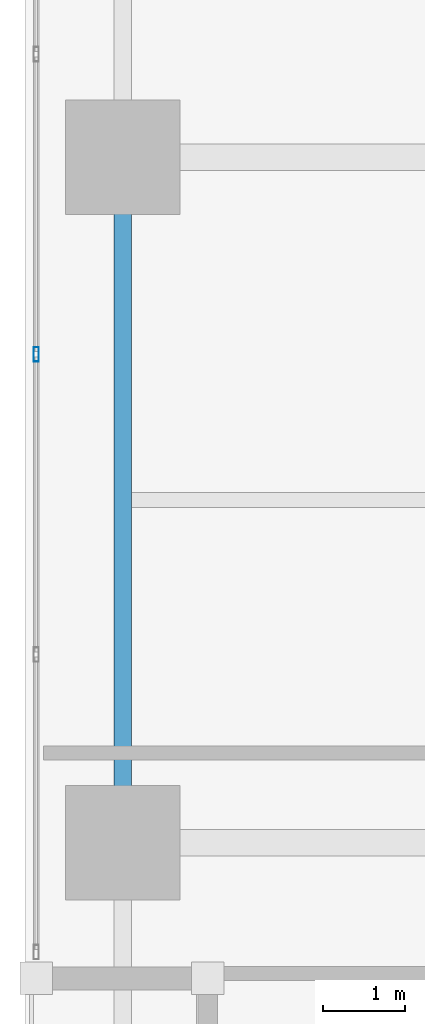
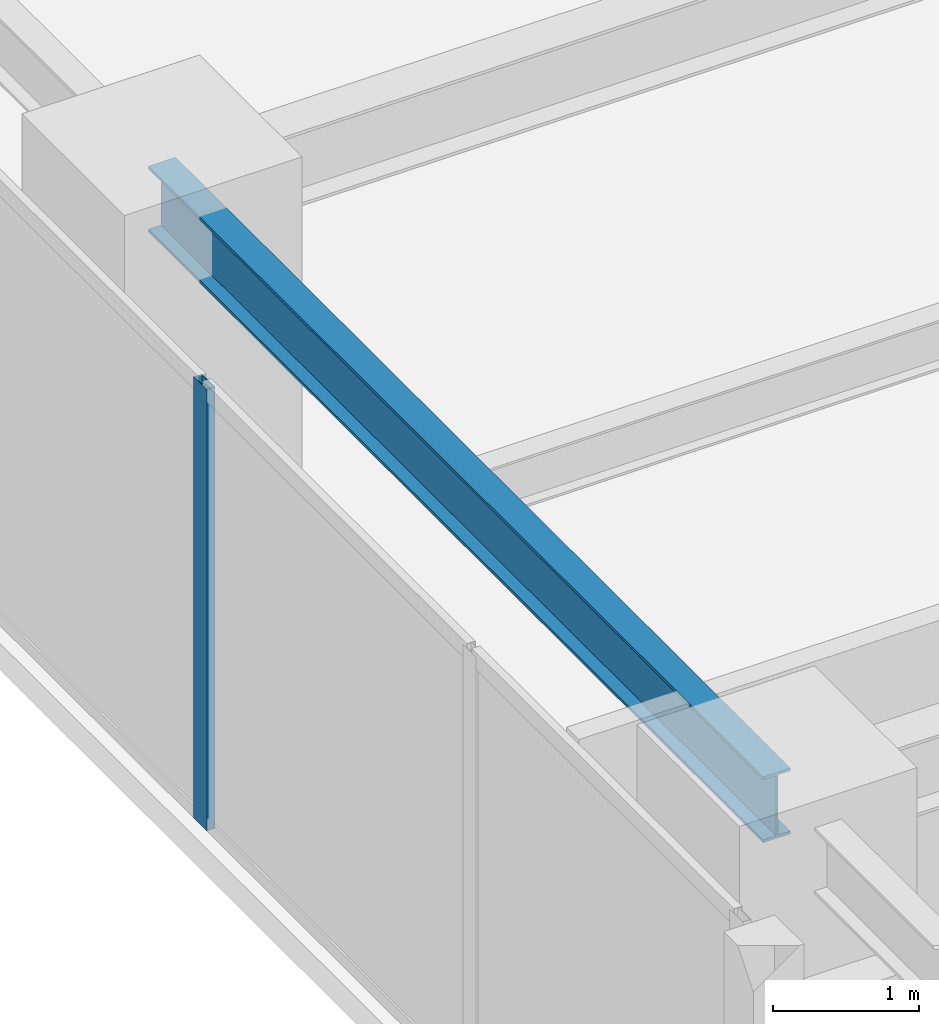
# One storey, part 5 of 30: 1 beam, 1 member, 1 element without a shape of its own.
"""IFC4 building model written with IfcOpenShell, lengths in metres."""

import ifcopenshell
import ifcopenshell.guid

model = None  # the IFC model being written
_history = None  # IfcOwnerHistory: only IFC2X3 demands one
_inside = {}  # id of a spatial element -> (the spatial element, [elements in it])
_under = {}  # id of a project, library or spatial element -> (it, [spatial elements below it])
_declared = {}  # id of a project -> (the project, [libraries it declares])
_typed = {}  # id of a type object -> (the type object, [elements of that type])
_made_of = {}  # id of a material, layer set ... -> (it, [elements and type objects made of it])


def new_model(schema):
    """Start an empty IFC model of exactly this schema.

    Asked for "IFC4X3", IfcOpenShell would pick the latest addendum, in which some entities
    have other attributes; the version numbers below select the first issue.
    IFC2X3 requires an IfcOwnerHistory on every rooted entity: one is made here for all.
    """
    global model, _history
    if schema == "IFC4X3":
        model = ifcopenshell.file(schema_version=(4, 3, 0, 0))
    else:
        model = ifcopenshell.file(schema=schema)
    _inside.clear()
    _under.clear()
    _declared.clear()
    _typed.clear()
    _made_of.clear()
    _history = None
    if model.schema == "IFC2X3":
        org = make("IfcOrganization", Name="unknown")
        user = make(
            "IfcPersonAndOrganization",
            ThePerson=make("IfcPerson", FamilyName="unknown"),
            TheOrganization=org,
        )
        app = make(
            "IfcApplication",
            ApplicationDeveloper=org,
            Version="unknown",
            ApplicationFullName="unknown",
            ApplicationIdentifier="unknown",
        )
        _history = make(
            "IfcOwnerHistory",
            OwningUser=user,
            OwningApplication=app,
            ChangeAction="ADDED",
            CreationDate=0,
        )
    return model


def make(cls, **values):
    """One entity of the class cls with the attributes given. An attribute that is None is left unset."""
    return model.create_entity(
        cls, **{name: value for name, value in values.items() if value is not None}
    )


def rooted(cls, **values):
    """An entity with a GlobalId (a new one), such as an element, a storey or a relation."""
    return make(cls, GlobalId=ifcopenshell.guid.new(), OwnerHistory=_history, **values)


def si_unit(unit_type, name, prefix=None):
    """IfcSIUnit, for example si_unit("LENGTHUNIT", "METRE", prefix="MILLI")."""
    return make("IfcSIUnit", UnitType=unit_type, Prefix=prefix, Name=name)


def assignment(units):
    """IfcUnitAssignment: the units of a project."""
    return None if units is None else make("IfcUnitAssignment", Units=units)


def point(xyz):
    """IfcCartesianPoint."""
    return None if xyz is None else make("IfcCartesianPoint", Coordinates=xyz)


def direction(xyz):
    """IfcDirection."""
    return None if xyz is None else make("IfcDirection", DirectionRatios=xyz)


def frame(location, z_axis=None, x_axis=None):
    """IfcAxis2Placement3D, a coordinate frame: its origin and axes. An axis left out is left unset."""
    return make(
        "IfcAxis2Placement3D",
        Location=point(location),
        Axis=direction(z_axis),
        RefDirection=direction(x_axis),
    )


def frame_2d(location, x_axis=None):
    """IfcAxis2Placement2D, a coordinate frame in the plane: its origin and x axis."""
    return make(
        "IfcAxis2Placement2D", Location=point(location), RefDirection=direction(x_axis)
    )


def origin():
    """The frame at (0, 0, 0) with its axes left unset."""
    return frame((0.0, 0.0, 0.0))


def origin_2d():
    """The frame at (0, 0) in the plane with its x axis left unset."""
    return frame_2d((0.0, 0.0))


def place(relative_to, where):
    """IfcLocalPlacement: puts the frame where relative to a parent placement (None: the world)."""
    return make(
        "IfcLocalPlacement", PlacementRelTo=relative_to, RelativePlacement=where
    )


def context(
    kind, dimensions, precision=None, world=None, true_north=None, identifier=None
):
    """IfcGeometricRepresentationContext, for example the 3D "Model" context."""
    return make(
        "IfcGeometricRepresentationContext",
        ContextIdentifier=identifier,
        ContextType=kind,
        CoordinateSpaceDimension=dimensions,
        Precision=precision,
        WorldCoordinateSystem=world,
        TrueNorth=true_north,
    )


def subcontext(parent, identifier, kind, view, scale=None):
    """IfcGeometricRepresentationSubContext, for example "Body" below "Model"."""
    return make(
        "IfcGeometricRepresentationSubContext",
        ContextIdentifier=identifier,
        ContextType=kind,
        ParentContext=parent,
        TargetScale=scale,
        TargetView=view,
    )


def project(units=None, contexts=None):
    """IfcProject with its units and contexts."""
    return rooted(
        "IfcProject",
        Name="project",
        RepresentationContexts=contexts,
        UnitsInContext=assignment(units),
    )


def spatial(cls, under=None, at=None, **own):
    """A site, building, storey or space (cls), placed at a placement, below another one or the project."""
    s = rooted(cls, ObjectPlacement=at, **own)
    if under is not None:
        _under.setdefault(under.id(), (under, []))[1].append(s)
    return s


def profile(cls, at=None, kind="AREA", **sizes):
    """A parametric profile (cls). Its sizes go by their IFC names, for example OverallWidth=200.0."""
    return make(cls, ProfileType=kind, Position=at, **sizes)


def hollow_rectangle(**sizes):
    """IfcRectangleHollowProfileDef."""
    return profile("IfcRectangleHollowProfileDef", **sizes)


def i_section(**sizes):
    """IfcIShapeProfileDef."""
    return profile("IfcIShapeProfileDef", **sizes)


def extrude(swept, where, along, depth):
    """IfcExtrudedAreaSolid: the profile swept, set in the frame where, extruded along a direction by depth."""
    return make(
        "IfcExtrudedAreaSolid",
        SweptArea=swept,
        Position=where,
        ExtrudedDirection=direction(along),
        Depth=depth,
    )


def shape(context_of_items, identifier, shape_type, items):
    """IfcShapeRepresentation: the items that make up one representation, for example the "Body"."""
    return make(
        "IfcShapeRepresentation",
        ContextOfItems=context_of_items,
        RepresentationIdentifier=identifier,
        RepresentationType=shape_type,
        Items=items,
    )


def material(Name=None, Category=None):
    """IfcMaterial."""
    return make("IfcMaterial", Name=Name, Category=Category)


def layer(
    of_material, thickness, ventilated=None, Name=None, Category=None, Priority=None
):
    """IfcMaterialLayer: one layer of a wall or slab, of a material (None: an air gap)."""
    return make(
        "IfcMaterialLayer",
        Material=of_material,
        LayerThickness=thickness,
        IsVentilated=ventilated,
        Name=Name,
        Category=Category,
        Priority=Priority,
    )


def layer_set(layers, Name=None):
    """IfcMaterialLayerSet."""
    return make("IfcMaterialLayerSet", MaterialLayers=layers, LayerSetName=Name)


def material_profile(
    of_material, cross_section, Name=None, Category=None, Priority=None
):
    """IfcMaterialProfile: a cross section and its material."""
    return make(
        "IfcMaterialProfile",
        Name=Name,
        Material=of_material,
        Profile=cross_section,
        Priority=Priority,
        Category=Category,
    )


def profile_set(profiles, Name=None, composite=None):
    """IfcMaterialProfileSet."""
    return make(
        "IfcMaterialProfileSet",
        Name=Name,
        MaterialProfiles=profiles,
        CompositeProfile=composite,
    )


def made_of(thing, what):
    """Note that an element or type object is made of a material, layer set ...; save() writes the relation."""
    if what is not None:
        _made_of.setdefault(what.id(), (what, []))[1].append(thing)
    return thing


def type_object(cls, material=None, **own):
    """A type object (cls), such as IfcWallType, which elements share."""
    return made_of(rooted(cls, **own), material)


def element(
    cls,
    number,
    at=None,
    inside=None,
    cuts=None,
    type_object=None,
    material=None,
    context=None,
    identifier="Body",
    shape_type=None,
    held_by="IfcProductDefinitionShape",
    body=None,
    shapes=None,
    **own,
):
    """One element of the class cls, such as IfcWall. Its Tag is "e" and its number.

    at: its placement. inside: the storey or other place that contains it. cuts: it is an
    opening in that element (IfcRelVoidsElement). A single representation is given by context,
    identifier, shape_type and body (its items); several are given by shapes. held_by: the class
    of the entity that holds the representations. save() writes the other relations.
    """
    e = rooted(cls, Tag="e%d" % number, ObjectPlacement=at, **own)
    if body is not None:
        shapes = [shape(context, identifier, shape_type, body)]
    if shapes is not None:
        e.Representation = make(held_by, Representations=shapes)
    if inside is not None:
        _inside.setdefault(inside.id(), (inside, []))[1].append(e)
    if cuts is not None:
        rooted(
            "IfcRelVoidsElement", RelatingBuildingElement=cuts, RelatedOpeningElement=e
        )
    if type_object is not None:
        _typed.setdefault(type_object.id(), (type_object, []))[1].append(e)
    return made_of(e, material)


def aggregate(whole, parts):
    """IfcRelAggregates: a whole, such as a stair, and the parts it consists of."""
    return rooted("IfcRelAggregates", RelatingObject=whole, RelatedObjects=parts)


def save(model, path):
    """Write the relations noted so far, then the file.

    IfcRelAggregates (storeys below a building ...), IfcRelContainedInSpatialStructure (elements
    in a storey), IfcRelDefinesByType, IfcRelAssociatesMaterial and IfcRelDeclares: one each for
    every whole, place, type object, material and project.
    """
    for whole, parts in _under.values():
        aggregate(whole, parts)
    for where, things in _inside.values():
        rooted(
            "IfcRelContainedInSpatialStructure",
            RelatedElements=things,
            RelatingStructure=where,
        )
    for kind, things in _typed.values():
        rooted("IfcRelDefinesByType", RelatedObjects=things, RelatingType=kind)
    for what, things in _made_of.values():
        rooted("IfcRelAssociatesMaterial", RelatedObjects=things, RelatingMaterial=what)
    for by, libraries in _declared.values():
        rooted("IfcRelDeclares", RelatingContext=by, RelatedDefinitions=libraries)
    model.write(path)


model = new_model("IFC4")

# Units and contexts
model_context = context("Model", 3, precision=1e-05, world=origin(), true_north=direction((0.0, 1.0)))
body_context = subcontext(model_context, "Body", "Model", "MODEL_VIEW")
ifc_project = project(units=[si_unit("LENGTHUNIT", "METRE"), si_unit("AREAUNIT", "SQUARE_METRE"), si_unit("VOLUMEUNIT", "CUBIC_METRE"), si_unit("PLANEANGLEUNIT", "RADIAN"), si_unit("MASSUNIT", "GRAM", prefix="KILO")], contexts=[model_context])

# Site, building, storey
site_placement = place(None, origin())
site = spatial("IfcSite", under=ifc_project, at=site_placement, CompositionType="ELEMENT")
building_placement = place(site_placement, origin())
building = spatial("IfcBuilding", under=site, at=building_placement, Name="Kiyonajd Concourse Tower", CompositionType="ELEMENT")
storey_placement = place(building_placement, frame((0.0, 0.0, 154.5)))
storey = spatial("IfcBuildingStorey", under=building, at=storey_placement, Name="L39", CompositionType="ELEMENT", Elevation=154.5)

# Beam
ifc_material_1 = material(Name="Steel ASTM A992 Grade 50", Category="steel")
ifc_material_profile_1 = material_profile(ifc_material_1, i_section(OverallWidth=0.214111328125, OverallDepth=0.549072265625, WebThickness=0.0146484375, FlangeThickness=0.023681640625, at=origin_2d()), Name="W530X138")
ifc_profile_set_1 = profile_set([ifc_material_profile_1], Name="Steel ASTM A992 Grade 50")
beam_type = type_object("IfcBeamType", Name="BM-SPAN-530A", PredefinedType="SPANDREL", material=ifc_profile_set_1)
beam_placement = place(storey_placement, frame((19.199951171875, 44.39990234375, 3.405517578125), z_axis=(0.0, -1.0, 0.0), x_axis=(1.0, 0.0, 0.0)))
element("IfcBeam", 1, at=beam_placement, inside=storey, type_object=beam_type, Name="L39 Perimeter Bundled Tube Spandrel", PredefinedType="SPANDREL", context=body_context, shape_type="SweptSolid", body=[
    extrude(i_section(OverallWidth=0.214111328125, OverallDepth=0.549072265625, WebThickness=0.0146484375, FlangeThickness=0.023681640625, at=origin_2d()), origin(), (0.0, 0.0, 1.0), 8.39990234375),
])

# Curtain wall, member
ifc_material_2 = material(Name="Thermally Broken Anodised Aluminium", Category="aluminium")
ifc_layer = layer(ifc_material_2, 0.179931640625)
ifc_layer_set = layer_set([ifc_layer], Name="Thermally Broken Anodised Aluminium")
curtain_wall_type = type_object("IfcCurtainWallType", Name="CW-SYS-03", PredefinedType="NOTDEFINED", material=ifc_layer_set)
curtain_wall_placement = place(storey_placement, origin())
curtain_wall = element("IfcCurtainWall", 2, at=curtain_wall_placement, inside=storey, type_object=curtain_wall_type, Name="L39 Unitised Curtain Wall CW3", PredefinedType="NOTDEFINED")
ifc_material_profile_2 = material_profile(ifc_material_2, hollow_rectangle(XDim=0.06494140625, YDim=0.179931640625, WallThickness=0.00390625, at=origin_2d()), Name="MULL-65x180")
ifc_profile_set_2 = profile_set([ifc_material_profile_2], Name="Thermally Broken Anodised Aluminium")
member_type = type_object("IfcMemberType", Name="MB-CW-MULL1", PredefinedType="MULLION", material=ifc_profile_set_2)
member_placement = place(storey_placement, frame((18.139892578125, 41.98388671875, 0.0), z_axis=(0.0, 0.0, 1.0), x_axis=(-1.0, 0.0, 0.0)))
member = element("IfcMember", 3, at=member_placement, type_object=member_type, Name="CW3 mullion 3", PredefinedType="MULLION", context=body_context, shape_type="SweptSolid", body=[
    extrude(hollow_rectangle(XDim=0.06494140625, YDim=0.179931640625, WallThickness=0.00390625, at=origin_2d()), origin(), (0.0, 0.0, 1.0), 3.679931640625),
])
aggregate(curtain_wall, [member])

save(model, "model.ifc")
